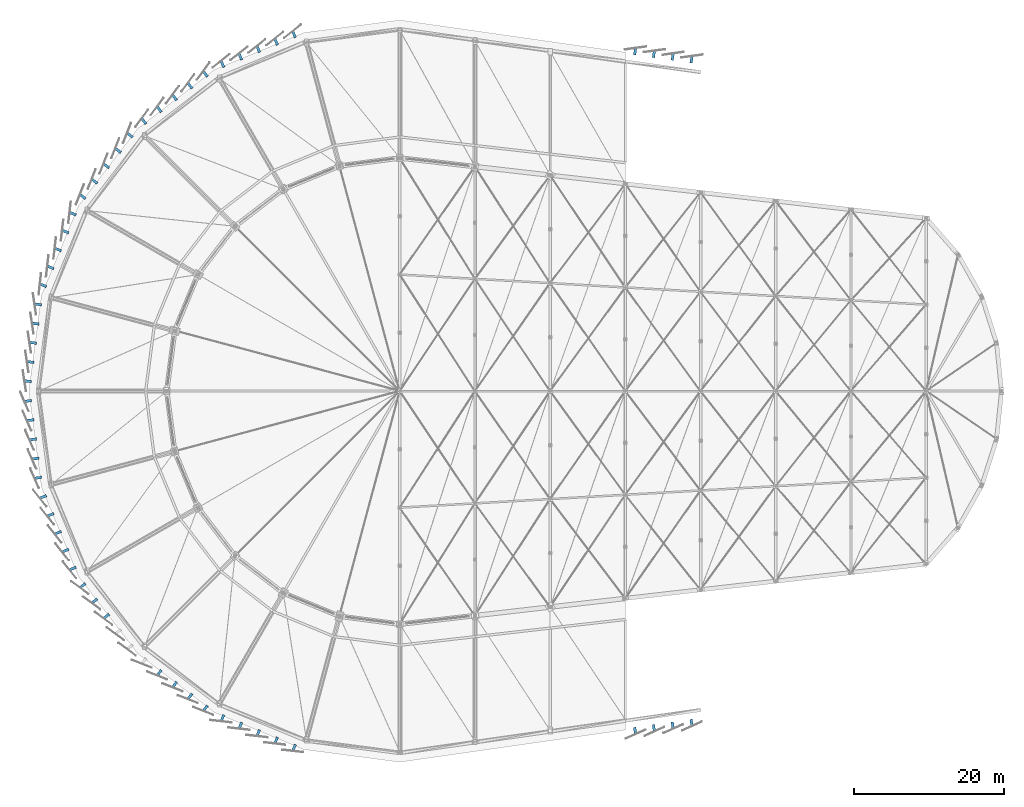
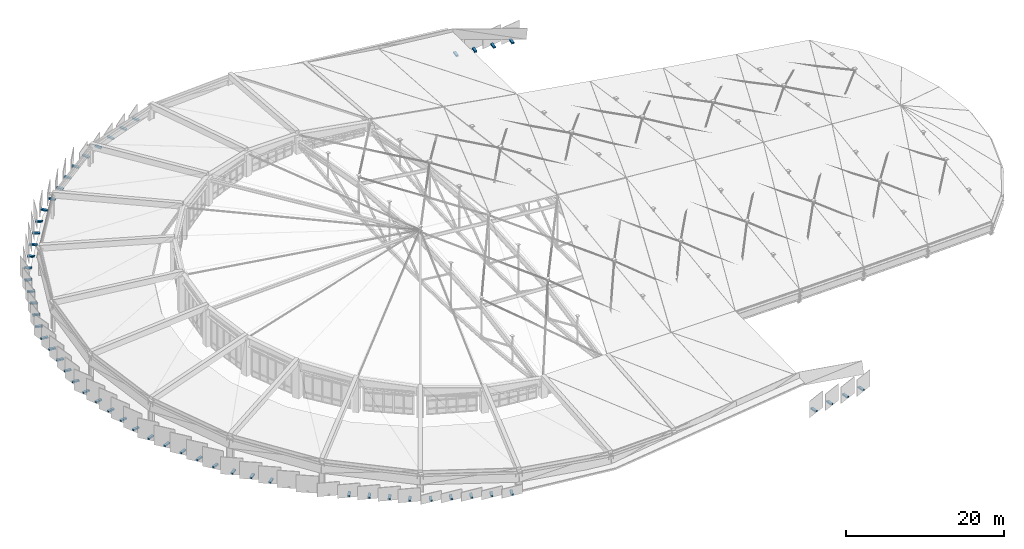
# One storey, part 65 of 68: 55 discrete accessories.
"""IFC4 building model written with IfcOpenShell, lengths in metres."""

from ifc_helpers import new_model, si_unit, direction, frame, origin, origin_2d, place, context, subcontext, project, spatial, rectangle, extrude, material, type_object, element, save


model = new_model("IFC4")

# Units and contexts
model_context = context("Model", 3, precision=1e-05, world=origin(), true_north=direction((0.0, 1.0)))
body_context = subcontext(model_context, "Body", "Model", "MODEL_VIEW")
ifc_project = project(units=[si_unit("LENGTHUNIT", "METRE"), si_unit("AREAUNIT", "SQUARE_METRE"), si_unit("VOLUMEUNIT", "CUBIC_METRE"), si_unit("PLANEANGLEUNIT", "RADIAN"), si_unit("MASSUNIT", "GRAM", prefix="KILO")], contexts=[model_context])

# Site, building, storey
site_placement = place(None, origin())
site = spatial("IfcSite", under=ifc_project, at=site_placement, CompositionType="ELEMENT")
building_placement = place(site_placement, origin())
building = spatial("IfcBuilding", under=site, at=building_placement, Name="Sohan Crest Arena", CompositionType="ELEMENT")
storey_placement = place(building_placement, frame((0.0, 0.0, 27.0)))
storey = spatial("IfcBuildingStorey", under=building, at=storey_placement, Name="RF", CompositionType="ELEMENT", Elevation=27.0)

# Discrete accessories
ifc_material = material(Name="Steel S355", Category="steel")
discrete_accessory_type = type_object("IfcDiscreteAccessoryType", Name="ARC-ACC-BRK1", PredefinedType="BRACKET", material=ifc_material)
for number, where, z_axis, x_axis, name in (
    (1, (83.922119140625, 125.451904296875, -0.0498046875), (0.0, 0.0, 1.0), (-0.923879532511, -0.382683432365, 0.0), "Upper nose scale bracket BRK-0643"),
    (2, (81.5419921875, 124.466064453125, -0.0498046875), (0.0, 0.0, 1.0), (-0.923879532511, -0.382683432365, 0.0), "Upper nose scale bracket BRK-0644"),
    (3, (79.160888671875, 123.47998046875, -0.0498046875), (0.0, 0.0, 1.0), (-0.923879532511, -0.382683432365, 0.0), "Upper nose scale bracket BRK-0645"),
    (4, (76.781005859375, 122.493896484375, -0.0498046875), (0.0, 0.0, 1.0), (-0.923879532511, -0.382683432365, 0.0), "Upper nose scale bracket BRK-0646"),
    (5, (74.39990234375, 121.508056640625, -0.0498046875), (0.0, 0.0, 1.0), (-0.923879532511, -0.382683432365, 0.0), "Upper nose scale bracket BRK-0647"),
    (6, (72.1201171875, 120.19189453125, -0.0498046875), (0.0, 0.0, 1.0), (-0.793353340291, -0.608761429009, 0.0), "Upper nose scale bracket BRK-0650"),
    (7, (70.075927734375, 118.623046875, -0.0498046875), (0.0, 0.0, 1.0), (-0.793353340291, -0.608761429009, 0.0), "Upper nose scale bracket BRK-0651"),
    (8, (68.031982421875, 117.054931640625, -0.0498046875), (0.0, 0.0, 1.0), (-0.793353340291, -0.608761429009, 0.0), "Upper nose scale bracket BRK-0652"),
    (9, (65.988037109375, 115.487060546875, -0.0498046875), (0.0, 0.0, 1.0), (-0.793353340291, -0.608761429009, 0.0), "Upper nose scale bracket BRK-0653"),
    (10, (63.943115234375, 113.91796875, -0.0498046875), (0.0, 0.0, 1.0), (-0.793353340291, -0.608761429009, 0.0), "Upper nose scale bracket BRK-0654"),
    (11, (62.08203125, 112.056884765625, -0.0498046875), (0.0, 0.0, 1.0), (-0.608761429009, -0.793353340291, 0.0), "Upper nose scale bracket BRK-0657"),
    (12, (60.512939453125, 110.011962890625, -0.0498046875), (0.0, 0.0, 1.0), (-0.608761429009, -0.793353340291, 0.0), "Upper nose scale bracket BRK-0658"),
    (13, (58.945068359375, 107.968017578125, -0.0498046875), (0.0, 0.0, 1.0), (-0.608761429009, -0.793353340291, 0.0), "Upper nose scale bracket BRK-0659"),
    (14, (57.376953125, 105.924072265625, -0.0498046875), (0.0, 0.0, 1.0), (-0.608761429009, -0.793353340291, 0.0), "Upper nose scale bracket BRK-0660"),
    (15, (55.80810546875, 103.8798828125, -0.0498046875), (0.0, 0.0, 1.0), (-0.608761429009, -0.793353340291, 0.0), "Upper nose scale bracket BRK-0661"),
    (16, (54.491943359375, 101.60009765625, -0.0498046875), (0.0, 0.0, 1.0), (-0.382683432365, -0.923879532511, 0.0), "Upper nose scale bracket BRK-0664"),
    (17, (53.506103515625, 99.218994140625, -0.0498046875), (0.0, 0.0, 1.0), (-0.382683432365, -0.923879532511, 0.0), "Upper nose scale bracket BRK-0665"),
    (18, (52.52001953125, 96.839111328125, -0.0498046875), (0.0, 0.0, 1.0), (-0.382683432365, -0.923879532511, 0.0), "Upper nose scale bracket BRK-0666"),
    (19, (51.533935546875, 94.4580078125, -0.0498046875), (0.0, 0.0, 1.0), (-0.382683432365, -0.923879532511, 0.0), "Upper nose scale bracket BRK-0667"),
    (20, (50.548095703125, 92.077880859375, -0.0498046875), (0.0, 0.0, 1.0), (-0.382683432365, -0.923879532511, 0.0), "Upper nose scale bracket BRK-0668"),
    (21, (49.865966796875, 89.534912109375, -0.0498046875), (0.0, 0.0, 1.0), (-0.13052619222, -0.991444861374, 0.0), "Upper nose scale bracket BRK-0671"),
    (22, (49.530029296875, 86.97998046875, -0.0498046875), (0.0, 0.0, 1.0), (-0.13052619222, -0.991444861374, 0.0), "Upper nose scale bracket BRK-0672"),
    (23, (49.194091796875, 84.426025390625, -0.0498046875), (0.0, 0.0, 1.0), (-0.13052619222, -0.991444861374, 0.0), "Upper nose scale bracket BRK-0673"),
    (24, (48.85693359375, 81.87109375, -0.0498046875), (0.0, 0.0, 1.0), (-0.13052619222, -0.991444861374, 0.0), "Upper nose scale bracket BRK-0674"),
    (25, (48.52099609375, 79.31591796875, -0.0498046875), (0.0, 0.0, 1.0), (-0.13052619222, -0.991444861374, 0.0), "Upper nose scale bracket BRK-0675"),
    (26, (48.52099609375, 76.68408203125, -0.0498046875), (0.0, 0.0, 1.0), (0.13052619222, -0.991444861374, 0.0), "Upper nose scale bracket BRK-0678"),
    (27, (48.85693359375, 74.12890625, -0.0498046875), (0.0, 0.0, 1.0), (0.13052619222, -0.991444861374, 0.0), "Upper nose scale bracket BRK-0679"),
    (28, (49.194091796875, 71.573974609375, -0.0498046875), (0.0, 0.0, 1.0), (0.13052619222, -0.991444861374, 0.0), "Upper nose scale bracket BRK-0680"),
    (29, (49.530029296875, 69.02001953125, -0.0498046875), (0.0, 0.0, 1.0), (0.13052619222, -0.991444861374, 0.0), "Upper nose scale bracket BRK-0681"),
    (30, (49.865966796875, 66.465087890625, -0.0498046875), (0.0, 0.0, 1.0), (0.13052619222, -0.991444861374, 0.0), "Upper nose scale bracket BRK-0682"),
    (31, (50.548095703125, 63.922119140625, -0.0498046875), (0.0, 0.0, 1.0), (0.382683432365, -0.923879532511, 0.0), "Upper nose scale bracket BRK-0685"),
    (32, (51.533935546875, 61.5419921875, -0.0498046875), (0.0, 0.0, 1.0), (0.382683432365, -0.923879532511, 0.0), "Upper nose scale bracket BRK-0686"),
    (33, (52.52001953125, 59.160888671875, -0.0498046875), (0.0, 0.0, 1.0), (0.382683432365, -0.923879532511, 0.0), "Upper nose scale bracket BRK-0687"),
    (34, (53.506103515625, 56.781005859375, -0.0498046875), (0.0, 0.0, 1.0), (0.382683432365, -0.923879532511, 0.0), "Upper nose scale bracket BRK-0688"),
    (35, (54.491943359375, 54.39990234375, -0.0498046875), (0.0, 0.0, 1.0), (0.382683432365, -0.923879532511, 0.0), "Upper nose scale bracket BRK-0689"),
    (36, (55.80810546875, 52.1201171875, -0.0498046875), (0.0, 0.0, 1.0), (0.608761429009, -0.793353340291, 0.0), "Upper nose scale bracket BRK-0692"),
    (37, (57.376953125, 50.075927734375, -0.0498046875), (0.0, 0.0, 1.0), (0.608761429009, -0.793353340291, 0.0), "Upper nose scale bracket BRK-0693"),
    (38, (58.945068359375, 48.031982421875, -0.0498046875), (0.0, 0.0, 1.0), (0.608761429009, -0.793353340291, 0.0), "Upper nose scale bracket BRK-0694"),
    (39, (65.988037109375, 40.512939453125, -0.0498046875), (0.0, 0.0, 1.0), (0.793353340291, -0.608761429009, 0.0), "Upper nose scale bracket BRK-0700"),
    (40, (68.031982421875, 38.945068359375, -0.0498046875), (0.0, 0.0, 1.0), (0.793353340291, -0.608761429009, 0.0), "Upper nose scale bracket BRK-0701"),
    (41, (70.075927734375, 37.376953125, -0.0498046875), (0.0, 0.0, 1.0), (0.793353340291, -0.608761429009, 0.0), "Upper nose scale bracket BRK-0702"),
    (42, (72.1201171875, 35.80810546875, -0.0498046875), (0.0, 0.0, 1.0), (0.793353340291, -0.608761429009, 0.0), "Upper nose scale bracket BRK-0703"),
    (43, (74.39990234375, 34.491943359375, -0.0498046875), (0.0, 0.0, 1.0), (0.923879532511, -0.382683432365, 0.0), "Upper nose scale bracket BRK-0706"),
    (44, (76.781005859375, 33.506103515625, -0.0498046875), (0.0, 0.0, 1.0), (0.923879532511, -0.382683432365, 0.0), "Upper nose scale bracket BRK-0707"),
    (45, (79.160888671875, 32.52001953125, -0.0498046875), (0.0, 0.0, 1.0), (0.923879532511, -0.382683432365, 0.0), "Upper nose scale bracket BRK-0708"),
    (46, (81.5419921875, 31.533935546875, -0.0498046875), (0.0, 0.0, 1.0), (0.923879532511, -0.382683432365, 0.0), "Upper nose scale bracket BRK-0709"),
    (47, (83.922119140625, 30.548095703125, -0.0498046875), (0.0, 0.0, 1.0), (0.923879532511, -0.382683432365, 0.0), "Upper nose scale bracket BRK-0710"),
    (48, (129.2919921875, 32.818115234375, -4.5498046875), (0.0, 0.0, 1.0), (0.990023657717, 0.140901231938, 0.0), "Upper nose scale bracket BRK-0721"),
    (49, (131.7919921875, 33.175048828125, -4.5498046875), (0.0, 0.0, 1.0), (0.990023657717, 0.140901231938, 0.0), "Upper nose scale bracket BRK-0722"),
    (50, (134.2919921875, 33.531982421875, -4.5498046875), (0.0, 0.0, 1.0), (0.990023657717, 0.140901231938, 0.0), "Upper nose scale bracket BRK-0723"),
    (51, (136.7919921875, 33.888916015625, -4.5498046875), (0.0, 0.0, 1.0), (0.990023657717, 0.140901231938, 0.0), "Upper nose scale bracket BRK-0724"),
    (52, (136.7919921875, 122.111083984375, -4.5498046875), (0.0, 0.0, 1.0), (-0.990023657717, 0.140901231938, 0.0), "Upper nose scale bracket BRK-0755"),
    (53, (134.2919921875, 122.468017578125, -4.5498046875), (0.0, 0.0, 1.0), (-0.990023657717, 0.140901231938, 0.0), "Upper nose scale bracket BRK-0756"),
    (54, (131.7919921875, 122.824951171875, -4.5498046875), (0.0, 0.0, 1.0), (-0.990023657717, 0.140901231938, 0.0), "Upper nose scale bracket BRK-0757"),
    (55, (129.2919921875, 123.181884765625, -4.5498046875), (0.0, 0.0, 1.0), (-0.990023657717, 0.140901231938, 0.0), "Upper nose scale bracket BRK-0758"),
):
    element("IfcDiscreteAccessory", number, at=place(storey_placement, frame(where, z_axis=z_axis, x_axis=x_axis)), inside=storey, type_object=discrete_accessory_type, Name=name, PredefinedType="BRACKET", context=body_context, shape_type="SweptSolid", body=[
        extrude(rectangle(XDim=0.35009765625, YDim=0.9599609375, at=origin_2d()), origin(), (0.0, 0.0, 1.0), 0.219970703125),
    ])

save(model, "model.ifc")
